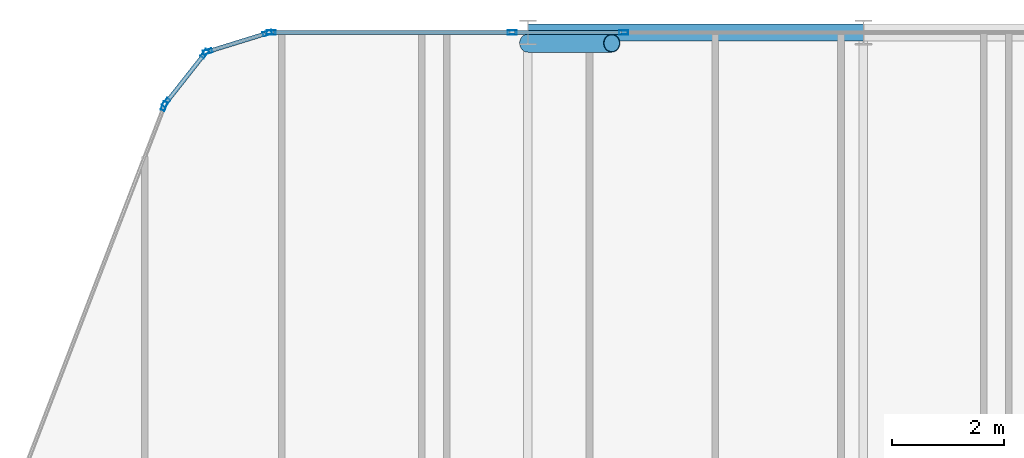
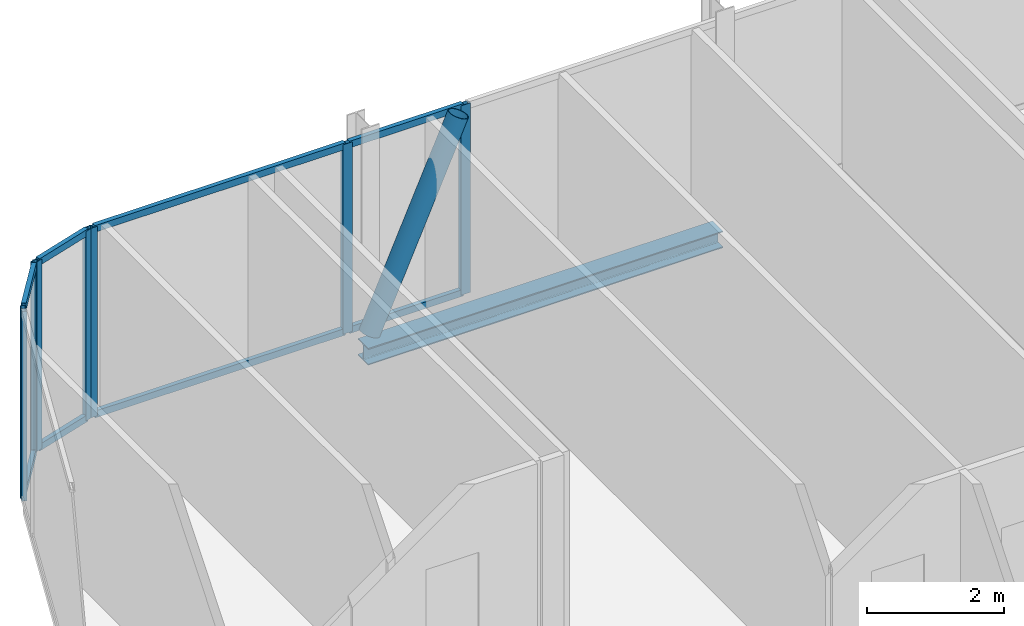
# One storey, part 18 of 29: 17 members, 1 beam, 5 elements without a shape of their own.
"""IFC4 building model written with IfcOpenShell, lengths in metres."""

from ifc_helpers import new_model, si_unit, direction, frame, origin, origin_2d, place, context, subcontext, project, spatial, hollow_rectangle, hollow_circle, i_section, extrude, material, layer, layer_set, material_profile, profile_set, type_object, element, aggregate, save


model = new_model("IFC4")

# Units and contexts
model_context = context("Model", 3, precision=1e-05, world=origin(), true_north=direction((0.0, 1.0)))
body_context = subcontext(model_context, "Body", "Model", "MODEL_VIEW")
ifc_project = project(units=[si_unit("LENGTHUNIT", "METRE"), si_unit("AREAUNIT", "SQUARE_METRE"), si_unit("VOLUMEUNIT", "CUBIC_METRE"), si_unit("PLANEANGLEUNIT", "RADIAN"), si_unit("MASSUNIT", "GRAM", prefix="KILO")], contexts=[model_context])

# Site, building, storey
site_placement = place(None, origin())
site = spatial("IfcSite", under=ifc_project, at=site_placement, CompositionType="ELEMENT")
building_placement = place(site_placement, origin())
building = spatial("IfcBuilding", under=site, at=building_placement, Name="Keshet Zoharim Tower", CompositionType="ELEMENT")
storey_placement = place(building_placement, frame((0.0, 0.0, 206.89990234375)))
storey = spatial("IfcBuildingStorey", under=building, at=storey_placement, Name="L51", CompositionType="ELEMENT", Elevation=206.89990234375)

# Beam
ifc_material_1 = material(Name="Steel S355", Category="steel")
ifc_material_profile_1 = material_profile(ifc_material_1, i_section(OverallWidth=0.300048828125, OverallDepth=0.300048828125, WebThickness=0.010986328125, FlangeThickness=0.01904296875, FilletRadius=0.027099609375, at=origin_2d()), Name="HEB300")
ifc_profile_set_1 = profile_set([ifc_material_profile_1], Name="Steel S355")
beam_type = type_object("IfcBeamType", Name="BM-PRI-HB300", PredefinedType="BEAM", material=ifc_profile_set_1)
beam_placement = place(storey_placement, frame((21.0, 53.89990234375, -0.4599609375), z_axis=(1.0, 0.0, 0.0), x_axis=(0.0, 1.0, 0.0)))
element("IfcBeam", 1, at=beam_placement, inside=storey, type_object=beam_type, Name="L51 Primary Girder X-019", PredefinedType="BEAM", context=body_context, shape_type="SweptSolid", body=[
    extrude(i_section(OverallWidth=0.300048828125, OverallDepth=0.300048828125, WebThickness=0.010986328125, FlangeThickness=0.01904296875, FilletRadius=0.027099609375, at=origin_2d()), origin(), (0.0, 0.0, 1.0), 6.0),
])

# Curtain wall, member
ifc_material_2 = material(Name="Aluminium 6063-T6", Category="aluminium")
ifc_layer = layer(ifc_material_2, 0.139892578125)
ifc_layer_set = layer_set([ifc_layer], Name="Aluminium 6063-T6")
curtain_wall_type = type_object("IfcCurtainWallType", Name="CW-SYS-05", PredefinedType="NOTDEFINED", material=ifc_layer_set)
curtain_wall_1_placement = place(storey_placement, origin())
curtain_wall_1 = element("IfcCurtainWall", 2, at=curtain_wall_1_placement, inside=storey, type_object=curtain_wall_type, Name="L51 Unitised Curtain Wall 13", PredefinedType="NOTDEFINED")
ifc_material_profile_2 = material_profile(ifc_material_2, hollow_rectangle(XDim=0.074951171875, YDim=0.159912109375, WallThickness=0.00390625, at=origin_2d()), Name="MUL-75x160")
ifc_profile_set_2 = profile_set([ifc_material_profile_2], Name="Aluminium 6063-T6")
member_type_1 = type_object("IfcMemberType", Name="CWM-M15", PredefinedType="MULLION", material=ifc_profile_set_2)
member_1_placement = place(storey_placement, frame((14.494384765625, 52.58544921875, 0.0), z_axis=(0.0, 0.0, 1.0), x_axis=(-0.933341404361, 0.358990003907, 0.0)))
member_1 = element("IfcMember", 3, at=member_1_placement, type_object=member_type_1, Name="CW-05 mullion 4", PredefinedType="MULLION", context=body_context, shape_type="SweptSolid", body=[
    extrude(hollow_rectangle(XDim=0.074951171875, YDim=0.159912109375, WallThickness=0.00390625, at=origin_2d()), origin(), (0.0, 0.0, 1.0), 3.39013671875),
])
aggregate(curtain_wall_1, [member_1])

# Curtain wall, members
curtain_wall_2_placement = place(storey_placement, origin())
curtain_wall_2 = element("IfcCurtainWall", 4, at=curtain_wall_2_placement, inside=storey, type_object=curtain_wall_type, Name="L51 Unitised Curtain Wall 14", PredefinedType="NOTDEFINED")
member_2_placement = place(storey_placement, frame((14.528564453125, 52.6455078125, 0.0), z_axis=(0.0, 0.0, 1.0), x_axis=(-0.785292825205, 0.619124525989, 0.0)))
member_2 = element("IfcMember", 5, at=member_2_placement, type_object=member_type_1, Name="CW-05 mullion 1", PredefinedType="MULLION", context=body_context, shape_type="SweptSolid", body=[
    extrude(hollow_rectangle(XDim=0.074951171875, YDim=0.159912109375, WallThickness=0.00390625, at=origin_2d()), origin(), (0.0, 0.0, 1.0), 3.39013671875),
])
member_3_placement = place(storey_placement, frame((15.21923828125, 53.521484375, 0.0), z_axis=(0.0, 0.0, 1.0), x_axis=(-0.785292825205, 0.619124525989, 0.0)))
member_3 = element("IfcMember", 6, at=member_3_placement, type_object=member_type_1, Name="CW-05 mullion 2", PredefinedType="MULLION", context=body_context, shape_type="SweptSolid", body=[
    extrude(hollow_rectangle(XDim=0.074951171875, YDim=0.159912109375, WallThickness=0.00390625, at=origin_2d()), origin(), (0.0, 0.0, 1.0), 3.39013671875),
])

curtain_wall_3_placement = place(storey_placement, origin())
curtain_wall_3 = element("IfcCurtainWall", 7, at=curtain_wall_3_placement, inside=storey, type_object=curtain_wall_type, Name="L51 Unitised Curtain Wall 15", PredefinedType="NOTDEFINED")
member_4_placement = place(storey_placement, frame((15.2744140625, 53.559326171875, 0.0), z_axis=(0.0, 0.0, 1.0), x_axis=(-0.295921857984, 0.955212151288, 0.0)))
member_4 = element("IfcMember", 8, at=member_4_placement, type_object=member_type_1, Name="CW-05 mullion 1", PredefinedType="MULLION", context=body_context, shape_type="SweptSolid", body=[
    extrude(hollow_rectangle(XDim=0.074951171875, YDim=0.159912109375, WallThickness=0.00390625, at=origin_2d()), origin(), (0.0, 0.0, 1.0), 3.39013671875),
])
member_5_placement = place(storey_placement, frame((16.340576171875, 53.8896484375, 0.0), z_axis=(0.0, 0.0, 1.0), x_axis=(-0.295921857984, 0.955212151288, 0.0)))
member_5 = element("IfcMember", 9, at=member_5_placement, type_object=member_type_1, Name="CW-05 mullion 2", PredefinedType="MULLION", context=body_context, shape_type="SweptSolid", body=[
    extrude(hollow_rectangle(XDim=0.074951171875, YDim=0.159912109375, WallThickness=0.00390625, at=origin_2d()), origin(), (0.0, 0.0, 1.0), 3.39013671875),
])

curtain_wall_4_placement = place(storey_placement, origin())
curtain_wall_4 = element("IfcCurtainWall", 10, at=curtain_wall_4_placement, inside=storey, type_object=curtain_wall_type, Name="L51 Unitised Curtain Wall 16", PredefinedType="NOTDEFINED")
member_6_placement = place(storey_placement, frame((16.408935546875, 53.89990234375, 0.0), z_axis=(0.0, 0.0, 1.0), x_axis=(0.0, 1.0, 0.0)))
member_6 = element("IfcMember", 11, at=member_6_placement, type_object=member_type_1, Name="CW-05 mullion 1", PredefinedType="MULLION", context=body_context, shape_type="SweptSolid", body=[
    extrude(hollow_rectangle(XDim=0.074951171875, YDim=0.159912109375, WallThickness=0.00390625, at=origin_2d()), origin(), (0.0, 0.0, 1.0), 3.39013671875),
])
member_7_placement = place(storey_placement, frame((20.716796875, 53.89990234375, 0.0), z_axis=(0.0, 0.0, 1.0), x_axis=(0.0, 1.0, 0.0)))
member_7 = element("IfcMember", 12, at=member_7_placement, type_object=member_type_1, Name="CW-05 mullion 2", PredefinedType="MULLION", context=body_context, shape_type="SweptSolid", body=[
    extrude(hollow_rectangle(XDim=0.074951171875, YDim=0.159912109375, WallThickness=0.00390625, at=origin_2d()), origin(), (0.0, 0.0, 1.0), 3.39013671875),
])

# Curtain wall, member
curtain_wall_5_placement = place(storey_placement, origin())
curtain_wall_5 = element("IfcCurtainWall", 13, at=curtain_wall_5_placement, inside=storey, type_object=curtain_wall_type, Name="L51 Unitised Curtain Wall 16 Part 2", PredefinedType="NOTDEFINED")
member_8_placement = place(storey_placement, frame((22.713134765625, 53.89990234375, 0.0), z_axis=(0.0, 0.0, 1.0), x_axis=(0.0, 1.0, 0.0)))
member_8 = element("IfcMember", 14, at=member_8_placement, type_object=member_type_1, Name="CW-05 mullion 2", PredefinedType="MULLION", context=body_context, shape_type="SweptSolid", body=[
    extrude(hollow_rectangle(XDim=0.074951171875, YDim=0.159912109375, WallThickness=0.00390625, at=origin_2d()), origin(), (0.0, 0.0, 1.0), 3.39013671875),
])

# Member
ifc_material_profile_3 = material_profile(ifc_material_2, hollow_rectangle(XDim=0.074951171875, YDim=0.1201171875, WallThickness=0.00390625, at=origin_2d()), Name="TRN-75x120")
ifc_profile_set_3 = profile_set([ifc_material_profile_3], Name="Aluminium 6063-T6")
member_type_2 = type_object("IfcMemberType", Name="CWT-T12", PredefinedType="USERDEFINED", material=ifc_profile_set_3)
member_9_placement = place(storey_placement, frame((14.55029296875, 52.6728515625, 0.03515625), z_axis=(0.619099165969, 0.78531281837, 0.0), x_axis=(-0.78531281837, 0.619099165969, 0.0)))
member_9 = element("IfcMember", 15, at=member_9_placement, type_object=member_type_2, Name="CW-05 transom 1.1", ObjectType="TRANSOM", PredefinedType="USERDEFINED", context=body_context, shape_type="SweptSolid", body=[
    extrude(hollow_rectangle(XDim=0.074951171875, YDim=0.1201171875, WallThickness=0.00390625, at=origin_2d()), origin(), (0.0, 0.0, 1.0), 1.0458984375),
])

member_10_placement = place(storey_placement, frame((14.55029296875, 52.6728515625, 3.35498046875), z_axis=(0.619099165969, 0.78531281837, 0.0), x_axis=(-0.78531281837, 0.619099165969, 0.0)))
member_10 = element("IfcMember", 16, at=member_10_placement, type_object=member_type_2, Name="CW-05 transom 1.2", ObjectType="TRANSOM", PredefinedType="USERDEFINED", context=body_context, shape_type="SweptSolid", body=[
    extrude(hollow_rectangle(XDim=0.074951171875, YDim=0.1201171875, WallThickness=0.00390625, at=origin_2d()), origin(), (0.0, 0.0, 1.0), 1.0458984375),
])

aggregate(curtain_wall_2, [member_2, member_3, member_9, member_10])

member_11_placement = place(storey_placement, frame((15.307861328125, 53.56982421875, 0.03515625), z_axis=(0.955212093062, 0.295922045933, 0.0), x_axis=(-0.295922045933, 0.955212093062, 0.0)))
member_11 = element("IfcMember", 17, at=member_11_placement, type_object=member_type_2, Name="CW-05 transom 1.1", ObjectType="TRANSOM", PredefinedType="USERDEFINED", context=body_context, shape_type="SweptSolid", body=[
    extrude(hollow_rectangle(XDim=0.074951171875, YDim=0.1201171875, WallThickness=0.00390625, at=origin_2d()), origin(), (0.0, 0.0, 1.0), 1.046142578125),
])

member_12_placement = place(storey_placement, frame((15.307861328125, 53.56982421875, 3.35498046875), z_axis=(0.955212093062, 0.295922045933, 0.0), x_axis=(-0.295922045933, 0.955212093062, 0.0)))
member_12 = element("IfcMember", 18, at=member_12_placement, type_object=member_type_2, Name="CW-05 transom 1.2", ObjectType="TRANSOM", PredefinedType="USERDEFINED", context=body_context, shape_type="SweptSolid", body=[
    extrude(hollow_rectangle(XDim=0.074951171875, YDim=0.1201171875, WallThickness=0.00390625, at=origin_2d()), origin(), (0.0, 0.0, 1.0), 1.046142578125),
])

aggregate(curtain_wall_3, [member_4, member_5, member_11, member_12])

member_13_placement = place(storey_placement, frame((16.444091796875, 53.89990234375, 0.03515625), z_axis=(1.0, 0.0, 0.0), x_axis=(0.0, 1.0, 0.0)))
member_13 = element("IfcMember", 19, at=member_13_placement, type_object=member_type_2, Name="CW-05 transom 1.1", ObjectType="TRANSOM", PredefinedType="USERDEFINED", context=body_context, shape_type="SweptSolid", body=[
    extrude(hollow_rectangle(XDim=0.074951171875, YDim=0.1201171875, WallThickness=0.00390625, at=origin_2d()), origin(), (0.0, 0.0, 1.0), 4.23779296875),
])

member_14_placement = place(storey_placement, frame((16.444091796875, 53.89990234375, 3.35498046875), z_axis=(1.0, 0.0, 0.0), x_axis=(0.0, 1.0, 0.0)))
member_14 = element("IfcMember", 20, at=member_14_placement, type_object=member_type_2, Name="CW-05 transom 1.2", ObjectType="TRANSOM", PredefinedType="USERDEFINED", context=body_context, shape_type="SweptSolid", body=[
    extrude(hollow_rectangle(XDim=0.074951171875, YDim=0.1201171875, WallThickness=0.00390625, at=origin_2d()), origin(), (0.0, 0.0, 1.0), 4.23779296875),
])

aggregate(curtain_wall_4, [member_6, member_7, member_13, member_14])

member_15_placement = place(storey_placement, frame((20.751953125, 53.89990234375, 0.03515625), z_axis=(1.0, 0.0, 0.0), x_axis=(0.0, 1.0, 0.0)))
member_15 = element("IfcMember", 21, at=member_15_placement, type_object=member_type_2, Name="CW-05 transom 1.1", ObjectType="TRANSOM", PredefinedType="USERDEFINED", context=body_context, shape_type="SweptSolid", body=[
    extrude(hollow_rectangle(XDim=0.074951171875, YDim=0.1201171875, WallThickness=0.00390625, at=origin_2d()), origin(), (0.0, 0.0, 1.0), 1.926025390625),
])

member_16_placement = place(storey_placement, frame((20.751953125, 53.89990234375, 3.35498046875), z_axis=(1.0, 0.0, 0.0), x_axis=(0.0, 1.0, 0.0)))
member_16 = element("IfcMember", 22, at=member_16_placement, type_object=member_type_2, Name="CW-05 transom 1.2", ObjectType="TRANSOM", PredefinedType="USERDEFINED", context=body_context, shape_type="SweptSolid", body=[
    extrude(hollow_rectangle(XDim=0.074951171875, YDim=0.1201171875, WallThickness=0.00390625, at=origin_2d()), origin(), (0.0, 0.0, 1.0), 1.926025390625),
])

aggregate(curtain_wall_5, [member_8, member_15, member_16])

ifc_material_profile_4 = material_profile(ifc_material_1, hollow_circle(Radius=0.161865234375, WallThickness=0.012451171875, at=origin_2d()), Name="CHS323x12.5")
ifc_profile_set_4 = profile_set([ifc_material_profile_4], Name="Steel S355")
member_type_3 = type_object("IfcMemberType", Name="MB-BR-C323", PredefinedType="BRACE", material=ifc_profile_set_4)
member_17_placement = place(storey_placement, frame((21.0, 53.7099609375, 0.0), z_axis=(0.404622528463, 0.0, 0.914483793984), x_axis=(0.0, 1.0, 0.0)))
element("IfcMember", 23, at=member_17_placement, inside=storey, type_object=member_type_3, Name="L51 Perimeter Tube Brace 02", PredefinedType="BRACE", context=body_context, shape_type="SweptSolid", body=[
    extrude(hollow_circle(Radius=0.161865234375, WallThickness=0.012451171875, at=origin_2d()), origin(), (0.0, 0.0, 1.0), 3.707275390625),
])

save(model, "model.ifc")
